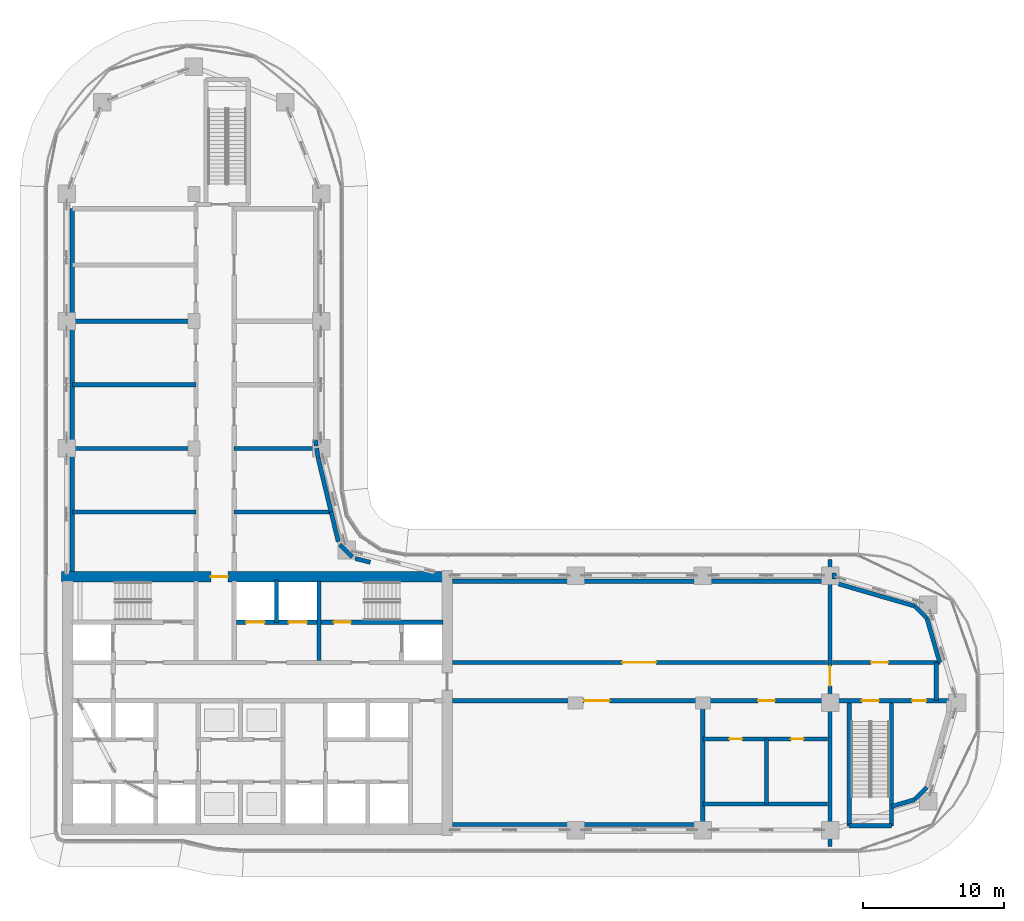
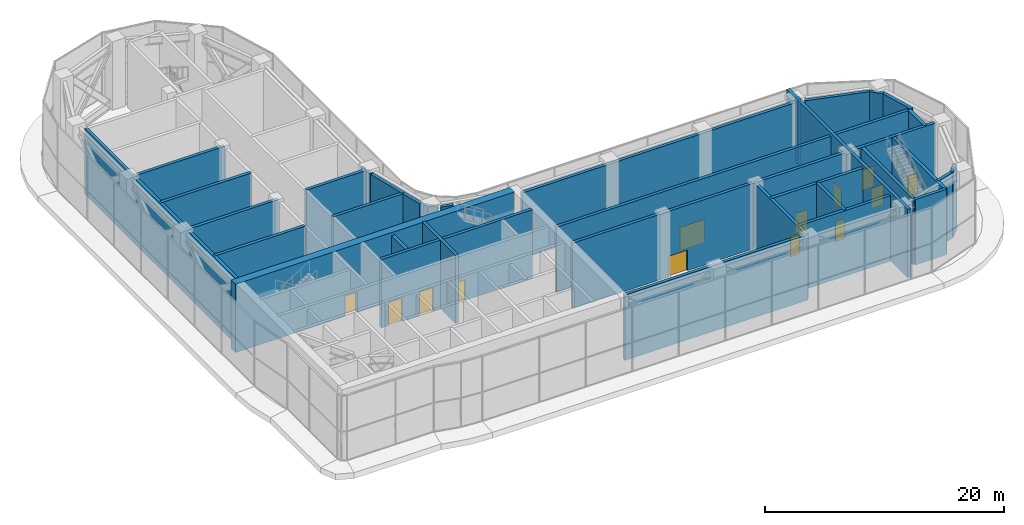
# One storey, part 17 of 35: 38 walls, 13 doors, 13 openings.
"""IFC4 building model written with IfcOpenShell, lengths in metres."""

from ifc_helpers import new_model, si_unit, direction, frame, frame_2d, origin, place, context, subcontext, project, spatial, rectangle, extrude, material, layer, layer_set, type_object, element, fill, save


model = new_model("IFC4")

# Units and contexts
model_context = context("Model", 3, precision=1e-05, world=origin(), true_north=direction((0.0, 1.0)))
body_context = subcontext(model_context, "Body", "Model", "MODEL_VIEW")
ifc_project = project(units=[si_unit("LENGTHUNIT", "METRE"), si_unit("AREAUNIT", "SQUARE_METRE"), si_unit("VOLUMEUNIT", "CUBIC_METRE"), si_unit("PLANEANGLEUNIT", "RADIAN"), si_unit("MASSUNIT", "GRAM", prefix="KILO")], contexts=[model_context])

# Site, building, storey
site_placement = place(None, origin())
site = spatial("IfcSite", under=ifc_project, at=site_placement, CompositionType="ELEMENT")
building_placement = place(site_placement, origin())
building = spatial("IfcBuilding", under=site, at=building_placement, Name="Ogive Portal Towers", CompositionType="ELEMENT")
storey_placement = place(building_placement, frame((0.0, 0.0, 135.199951171875)))
storey = spatial("IfcBuildingStorey", under=building, at=storey_placement, Name="L33", CompositionType="ELEMENT", Elevation=135.199951171875)

# Wall, openings, doors
ifc_material_1 = material(Name="Concrete C60/75", Category="concrete")
ifc_layer_1 = layer(ifc_material_1, 0.300048828125)
ifc_layer_set_1 = layer_set([ifc_layer_1], Name="CORE WALL 300 C60")
wall_type_1 = type_object("IfcWallType", Name="CORE WALL 300 C60", PredefinedType="SHEAR", material=ifc_layer_set_1)
wall_1_placement = place(storey_placement, frame((43.5, 36.199951171875, 0.0), z_axis=(0.0, 0.0, 1.0), x_axis=(1.0, 0.0, 0.0)))
wall_1 = element("IfcWall", 1, at=wall_1_placement, inside=storey, type_object=wall_type_1, Name="Core wall Y3b L33", PredefinedType="SHEAR", context=body_context, shape_type="SweptSolid", body=[
    extrude(rectangle(XDim=14.625, YDim=0.300048828125, at=frame_2d((7.3125, 0.0))), origin(), (0.0, 0.0, 1.0), 7.0),
])
opening_1_placement = place(wall_1_placement, frame((6.89990234375, 0.0, 0.0)))
opening_1 = element("IfcOpeningElement", 2, at=opening_1_placement, cuts=wall_1, Name="Opening D12-008", PredefinedType="OPENING", context=body_context, shape_type="SweptSolid", body=[
    extrude(rectangle(XDim=1.199951171875, YDim=2.10009765625, at=frame_2d((0.60009765625, 1.050048828125))), frame((0.0, 0.16015625, 0.0), z_axis=(0.0, -1.0, 0.0), x_axis=(1.0, 0.0, 0.0)), (0.0, 0.0, 1.0), 0.320068359375),
])
opening_2_placement = place(wall_1_placement, frame((0.699951171875, 0.0, 0.0)))
opening_2 = element("IfcOpeningElement", 3, at=opening_2_placement, cuts=wall_1, Name="Opening D12-024", PredefinedType="OPENING", context=body_context, shape_type="SweptSolid", body=[
    extrude(rectangle(XDim=1.300048828125, YDim=2.39990234375, at=frame_2d((0.64990234375, 1.199951171875))), frame((0.0, 0.16015625, 0.0), z_axis=(0.0, -1.0, 0.0), x_axis=(1.0, 0.0, 0.0)), (0.0, 0.0, 1.0), 0.320068359375),
])
opening_3_placement = place(wall_1_placement, frame((3.699951171875, 0.0, 0.0)))
opening_3 = element("IfcOpeningElement", 4, at=opening_3_placement, cuts=wall_1, Name="Opening D12-025", PredefinedType="OPENING", context=body_context, shape_type="SweptSolid", body=[
    extrude(rectangle(XDim=1.300048828125, YDim=2.39990234375, at=frame_2d((0.64990234375, 1.199951171875))), frame((0.0, 0.16015625, 0.0), z_axis=(0.0, -1.0, 0.0), x_axis=(1.0, 0.0, 0.0)), (0.0, 0.0, 1.0), 0.320068359375),
])
ifc_material_2 = material(Name="Stainless steel", Category="steel")
door_type_1 = type_object("IfcDoorType", Name="DT-LD-1300x2400", OperationType="SLIDING_TO_LEFT", PredefinedType="DOOR", material=ifc_material_2)
door_1_placement = place(opening_2_placement, origin())
door_1 = element("IfcDoor", 5, at=door_1_placement, inside=storey, type_object=door_type_1, Name="Door D12-024", OperationType="SLIDING_TO_LEFT", OverallHeight=2.39990234375, OverallWidth=1.300048828125, PredefinedType="DOOR", context=body_context, shape_type="SweptSolid", body=[
    extrude(rectangle(XDim=1.300048828125, YDim=2.39990234375, at=frame_2d((0.64990234375, 1.199951171875))), frame((0.0, 0.02490234375, 0.0), z_axis=(0.0, -1.0, 0.0), x_axis=(1.0, 0.0, 0.0)), (0.0, 0.0, 1.0), 0.050048828125),
])
fill(opening_2, door_1)
door_2_placement = place(opening_3_placement, origin())
door_2 = element("IfcDoor", 6, at=door_2_placement, inside=storey, type_object=door_type_1, Name="Door D12-025", OperationType="SLIDING_TO_LEFT", OverallHeight=2.39990234375, OverallWidth=1.300048828125, PredefinedType="DOOR", context=body_context, shape_type="SweptSolid", body=[
    extrude(rectangle(XDim=1.300048828125, YDim=2.39990234375, at=frame_2d((0.64990234375, 1.199951171875))), frame((0.0, 0.02490234375, 0.0), z_axis=(0.0, -1.0, 0.0), x_axis=(1.0, 0.0, 0.0)), (0.0, 0.0, 1.0), 0.050048828125),
])
fill(opening_3, door_2)
ifc_material_3 = material(Name="Steel fire door", Category="steel")
door_type_2 = type_object("IfcDoorType", Name="DT-SWING-1200x2100-FD90S", OperationType="SINGLE_SWING_LEFT", PredefinedType="DOOR", material=ifc_material_3)
door_3_placement = place(opening_1_placement, origin())
door_3 = element("IfcDoor", 7, at=door_3_placement, inside=storey, type_object=door_type_2, Name="Door D12-008", OperationType="SINGLE_SWING_LEFT", OverallHeight=2.10009765625, OverallWidth=1.199951171875, PredefinedType="DOOR", context=body_context, shape_type="SweptSolid", body=[
    extrude(rectangle(XDim=1.199951171875, YDim=2.10009765625, at=frame_2d((0.60009765625, 1.050048828125))), frame((0.0, 0.02490234375, 0.0), z_axis=(0.0, -1.0, 0.0), x_axis=(1.0, 0.0, 0.0)), (0.0, 0.0, 1.0), 0.050048828125),
])
fill(opening_1, door_3)

# Wall
wall_2_placement = place(storey_placement, frame((49.35009765625, 33.5, 0.0), z_axis=(0.0, 0.0, 1.0), x_axis=(0.0, 1.0, 0.0)))
element("IfcWall", 8, at=wall_2_placement, inside=storey, type_object=wall_type_1, Name="Core wall X9 L33", PredefinedType="SHEAR", context=body_context, shape_type="SweptSolid", body=[
    extrude(rectangle(XDim=5.625, YDim=0.300048828125, at=frame_2d((2.8125, 0.0))), origin(), (0.0, 0.0, 1.0), 7.0),
])

# Wall, opening, door
ifc_layer_2 = layer(ifc_material_1, 0.75)
ifc_layer_set_2 = layer_set([ifc_layer_2], Name="CORE WALL 750 C60")
wall_type_2 = type_object("IfcWallType", Name="CORE WALL 750 C60", PredefinedType="SHEAR", material=ifc_layer_set_2)
wall_3_placement = place(storey_placement, frame((31.125, 39.425048828125, 0.0), z_axis=(0.0, 0.0, 1.0), x_axis=(1.0, 0.0, 0.0)))
wall_3 = element("IfcWall", 9, at=wall_3_placement, inside=storey, type_object=wall_type_2, Name="Core wall N L33", PredefinedType="SHEAR", context=body_context, shape_type="SweptSolid", body=[
    extrude(rectangle(XDim=27.0, YDim=0.75, at=frame_2d((13.5, 0.0))), origin(), (0.0, 0.0, 1.0), 7.0),
])
opening_4_placement = place(wall_3_placement, frame((10.574951171875, 0.0, 0.0)))
opening_4 = element("IfcOpeningElement", 10, at=opening_4_placement, cuts=wall_3, Name="Opening D12-013", PredefinedType="OPENING", context=body_context, shape_type="SweptSolid", body=[
    extrude(rectangle(XDim=1.199951171875, YDim=2.10009765625, at=frame_2d((0.60009765625, 1.050048828125))), frame((0.0, 0.385009765625, 0.0), z_axis=(0.0, -1.0, 0.0), x_axis=(1.0, 0.0, 0.0)), (0.0, 0.0, 1.0), 0.77001953125),
])
door_4_placement = place(opening_4_placement, origin())
door_4 = element("IfcDoor", 11, at=door_4_placement, inside=storey, type_object=door_type_2, Name="Door D12-013", OperationType="SINGLE_SWING_RIGHT", OverallHeight=2.10009765625, OverallWidth=1.199951171875, PredefinedType="DOOR", context=body_context, shape_type="SweptSolid", body=[
    extrude(rectangle(XDim=1.199951171875, YDim=2.10009765625, at=frame_2d((0.60009765625, 1.050048828125))), frame((0.0, 0.02490234375, 0.0), z_axis=(0.0, -1.0, 0.0), x_axis=(1.0, 0.0, 0.0)), (0.0, 0.0, 1.0), 0.050048828125),
])
fill(opening_4, door_4)

ifc_layer_3 = layer(ifc_material_1, 0.300048828125)
ifc_layer_set_3 = layer_set([ifc_layer_3], Name="REVEAL WALL 300 C60")
wall_type_3 = type_object("IfcWallType", Name="REVEAL WALL 300 C60", PredefinedType="SHEAR", material=ifc_layer_set_3)
wall_4_placement = place(storey_placement, frame((85.5, 20.35009765625, 0.0), z_axis=(0.0, 0.0, 1.0), x_axis=(0.0, 1.0, 0.0)))
wall_4 = element("IfcWall", 12, at=wall_4_placement, inside=storey, type_object=wall_type_3, Name="Portal reveal wall L33", PredefinedType="SHEAR", context=body_context, shape_type="SweptSolid", body=[
    extrude(rectangle(XDim=20.2998046875, YDim=0.300048828125, at=frame_2d((10.14990234375, 0.0))), origin(), (0.0, 0.0, 1.0), 7.0),
])
opening_5_placement = place(wall_4_placement, frame((11.35009765625, 0.0, 0.0)))
opening_5 = element("IfcOpeningElement", 13, at=opening_5_placement, cuts=wall_4, Name="Opening D12-049", PredefinedType="OPENING", context=body_context, shape_type="SweptSolid", body=[
    extrude(rectangle(XDim=1.39990234375, YDim=2.10009765625, at=frame_2d((0.699951171875, 1.050048828125))), frame((0.0, 0.16015625, 0.0), z_axis=(0.0, -1.0, 0.0), x_axis=(1.0, 0.0, 0.0)), (0.0, 0.0, 1.0), 0.320068359375),
])
door_type_3 = type_object("IfcDoorType", Name="DT-STAIR-1400x2100-FD90S", OperationType="SINGLE_SWING_LEFT", PredefinedType="DOOR", material=ifc_material_3)
door_5_placement = place(opening_5_placement, origin())
door_5 = element("IfcDoor", 14, at=door_5_placement, inside=storey, type_object=door_type_3, Name="Door D12-049", OperationType="SINGLE_SWING_RIGHT", OverallHeight=2.10009765625, OverallWidth=1.39990234375, PredefinedType="DOOR", context=body_context, shape_type="SweptSolid", body=[
    extrude(rectangle(XDim=1.39990234375, YDim=2.10009765625, at=frame_2d((0.699951171875, 1.050048828125))), frame((0.0, 0.02490234375, 0.0), z_axis=(0.0, -1.0, 0.0), x_axis=(1.0, 0.0, 0.0)), (0.0, 0.0, 1.0), 0.050048828125),
])
fill(opening_5, door_5)

# Wall
ifc_material_4 = material(Name="Concrete C50/60", Category="concrete")
ifc_layer_4 = layer(ifc_material_4, 0.300048828125)
ifc_layer_set_4 = layer_set([ifc_layer_4], Name="STAIR WALL 300 C50")
wall_type_4 = type_object("IfcWallType", Name="STAIR WALL 300 C50", PredefinedType="SHEAR", material=ifc_layer_set_4)
wall_5_placement = place(storey_placement, frame((86.85009765625, 21.800048828125, 0.0), z_axis=(0.0, 0.0, 1.0), x_axis=(1.0, 0.0, 0.0)))
element("IfcWall", 15, at=wall_5_placement, inside=storey, type_object=wall_type_4, Name="Stair wall ST-A4 L33", PredefinedType="SHEAR", context=body_context, shape_type="SweptSolid", body=[
    extrude(rectangle(XDim=3.0, YDim=0.300048828125, at=frame_2d((1.5, 0.0))), origin(), (0.0, 0.0, 1.0), 6.699951171875),
])

# Wall, openings, doors
wall_6_placement = place(storey_placement, frame((85.669921875, 30.64990234375, 0.0), z_axis=(0.0, 0.0, 1.0), x_axis=(1.0, 0.0, 0.0)))
wall_6 = element("IfcWall", 16, at=wall_6_placement, inside=storey, type_object=wall_type_4, Name="Stair wall ST-A4 L33", PredefinedType="SHEAR", context=body_context, shape_type="SweptSolid", body=[
    extrude(rectangle(XDim=8.22998046875, YDim=0.300048828125, at=frame_2d((4.114990234375, 0.0))), origin(), (0.0, 0.0, 1.0), 6.699951171875),
])
opening_6_placement = place(wall_6_placement, frame((2.080078125, 0.0, 0.0)))
opening_6 = element("IfcOpeningElement", 17, at=opening_6_placement, cuts=wall_6, Name="Opening D12-045", PredefinedType="OPENING", context=body_context, shape_type="SweptSolid", body=[
    extrude(rectangle(XDim=1.199951171875, YDim=2.10009765625, at=frame_2d((0.60009765625, 1.050048828125))), frame((0.0, 0.16015625, 0.0), z_axis=(0.0, -1.0, 0.0), x_axis=(1.0, 0.0, 0.0)), (0.0, 0.0, 1.0), 0.320068359375),
])
opening_7_placement = place(wall_6_placement, frame((5.6298828125, 0.0, 0.0)))
opening_7 = element("IfcOpeningElement", 18, at=opening_7_placement, cuts=wall_6, Name="Opening D12-047", PredefinedType="OPENING", context=body_context, shape_type="SweptSolid", body=[
    extrude(rectangle(XDim=1.0, YDim=2.10009765625, at=frame_2d((0.5, 1.050048828125))), frame((0.0, 0.16015625, 0.0), z_axis=(0.0, -1.0, 0.0), x_axis=(1.0, 0.0, 0.0)), (0.0, 0.0, 1.0), 0.320068359375),
])
door_type_4 = type_object("IfcDoorType", Name="DT-SERVICE-1000x2100-FD90S", OperationType="SINGLE_SWING_LEFT", PredefinedType="DOOR", material=ifc_material_3)
door_6_placement = place(opening_7_placement, origin())
door_6 = element("IfcDoor", 19, at=door_6_placement, inside=storey, type_object=door_type_4, Name="Riser access door D12-047", OperationType="SINGLE_SWING_LEFT", OverallHeight=2.10009765625, OverallWidth=1.0, PredefinedType="DOOR", context=body_context, shape_type="SweptSolid", body=[
    extrude(rectangle(XDim=1.0, YDim=2.10009765625, at=frame_2d((0.5, 1.050048828125))), frame((0.0, 0.02490234375, 0.0), z_axis=(0.0, -1.0, 0.0), x_axis=(1.0, 0.0, 0.0)), (0.0, 0.0, 1.0), 0.050048828125),
])
fill(opening_7, door_6)
door_type_5 = type_object("IfcDoorType", Name="DT-STAIR-1200x2100-FD90S", OperationType="SINGLE_SWING_LEFT", PredefinedType="DOOR", material=ifc_material_3)
door_7_placement = place(opening_6_placement, origin())
door_7 = element("IfcDoor", 20, at=door_7_placement, inside=storey, type_object=door_type_5, Name="Door D12-045", OperationType="SINGLE_SWING_LEFT", OverallHeight=2.10009765625, OverallWidth=1.199951171875, PredefinedType="DOOR", context=body_context, shape_type="SweptSolid", body=[
    extrude(rectangle(XDim=1.199951171875, YDim=2.10009765625, at=frame_2d((0.60009765625, 1.050048828125))), frame((0.0, 0.02490234375, 0.0), z_axis=(0.0, -1.0, 0.0), x_axis=(1.0, 0.0, 0.0)), (0.0, 0.0, 1.0), 0.050048828125),
])
fill(opening_6, door_7)

# Walls
for number, where, z_axis, x_axis, name in (
    (21, (86.85009765625, 21.800048828125, 0.0), (0.0, 0.0, 1.0), (0.0, 1.0, 0.0), "Stair wall ST-A4 L33"),
    (22, (89.85009765625, 21.800048828125, 0.0), (0.0, 0.0, 1.0), (0.0, 1.0, 0.0), "Stair wall ST-A4 L33"),
):
    element("IfcWall", number, at=place(storey_placement, frame(where, z_axis=z_axis, x_axis=x_axis)), inside=storey, type_object=wall_type_4, Name=name, PredefinedType="SHEAR", context=body_context, shape_type="SweptSolid", body=[
        extrude(rectangle(XDim=8.849853515625, YDim=0.300048828125, at=frame_2d((4.4248046875, 0.0))), origin(), (0.0, 0.0, 1.0), 6.699951171875),
    ])

# Wall, openings, doors
ifc_material_5 = material(Name="Gypsum board partition on steel studs", Category="steel")
ifc_layer_5 = layer(ifc_material_5, 0.300048828125)
ifc_layer_set_5 = layer_set([ifc_layer_5], Name="WT-PART-300-EI 120")
wall_type_5 = type_object("IfcWallType", Name="WT-PART-300-EI 120", PredefinedType="PARTITIONING", material=ifc_layer_set_5)
wall_7_placement = place(storey_placement, frame((58.800048828125, 30.64990234375, 0.0), z_axis=(0.0, 0.0, 1.0), x_axis=(1.0, 0.0, 0.0)))
wall_7 = element("IfcWall", 23, at=wall_7_placement, inside=storey, type_object=wall_type_5, Name="Wall L33:w018", PredefinedType="PARTITIONING", context=body_context, shape_type="SweptSolid", body=[
    extrude(rectangle(XDim=26.530029296875, YDim=0.300048828125, at=frame_2d((13.26513671875, 0.0))), origin(), (0.0, 0.0, 1.0), 6.699951171875),
])
opening_8_placement = place(wall_7_placement, frame((9.300048828125, 0.0, 0.0)))
opening_8 = element("IfcOpeningElement", 24, at=opening_8_placement, cuts=wall_7, Name="Opening D12-030", PredefinedType="OPENING", context=body_context, shape_type="SweptSolid", body=[
    extrude(rectangle(XDim=1.800048828125, YDim=2.10009765625, at=frame_2d((0.89990234375, 1.050048828125))), frame((0.0, 0.16015625, 0.0), z_axis=(0.0, -1.0, 0.0), x_axis=(1.0, 0.0, 0.0)), (0.0, 0.0, 1.0), 0.320068359375),
])
opening_9_placement = place(wall_7_placement, frame((21.60009765625, 0.0, 0.0)))
opening_9 = element("IfcOpeningElement", 25, at=opening_9_placement, cuts=wall_7, Name="Opening D12-031", PredefinedType="OPENING", context=body_context, shape_type="SweptSolid", body=[
    extrude(rectangle(XDim=1.199951171875, YDim=2.10009765625, at=frame_2d((0.60009765625, 1.050048828125))), frame((0.0, 0.16015625, 0.0), z_axis=(0.0, -1.0, 0.0), x_axis=(1.0, 0.0, 0.0)), (0.0, 0.0, 1.0), 0.320068359375),
])
door_type_6 = type_object("IfcDoorType", Name="DT-ENTRY-1200x2100-FD90S", OperationType="SINGLE_SWING_LEFT", PredefinedType="DOOR", material=ifc_material_3)
door_8_placement = place(opening_9_placement, origin())
door_8 = element("IfcDoor", 26, at=door_8_placement, inside=storey, type_object=door_type_6, Name="Door D12-031", OperationType="SINGLE_SWING_LEFT", OverallHeight=2.10009765625, OverallWidth=1.199951171875, PredefinedType="DOOR", context=body_context, shape_type="SweptSolid", body=[
    extrude(rectangle(XDim=1.199951171875, YDim=2.10009765625, at=frame_2d((0.60009765625, 1.050048828125))), frame((0.0, 0.02490234375, 0.0), z_axis=(0.0, -1.0, 0.0), x_axis=(1.0, 0.0, 0.0)), (0.0, 0.0, 1.0), 0.050048828125),
])
fill(opening_9, door_8)
door_type_7 = type_object("IfcDoorType", Name="DT-ENTRY-1800x2100-FD90S", OperationType="SINGLE_SWING_LEFT", PredefinedType="DOOR", material=ifc_material_3)
door_9_placement = place(opening_8_placement, origin())
door_9 = element("IfcDoor", 27, at=door_9_placement, inside=storey, type_object=door_type_7, Name="Door D12-030", OperationType="SINGLE_SWING_LEFT", OverallHeight=2.10009765625, OverallWidth=1.800048828125, PredefinedType="DOOR", context=body_context, shape_type="SweptSolid", body=[
    extrude(rectangle(XDim=1.800048828125, YDim=2.10009765625, at=frame_2d((0.89990234375, 1.050048828125))), frame((0.0, 0.02490234375, 0.0), z_axis=(0.0, -1.0, 0.0), x_axis=(1.0, 0.0, 0.0)), (0.0, 0.0, 1.0), 0.050048828125),
])
fill(opening_8, door_9)

# Wall, opening, door
wall_8_placement = place(storey_placement, frame((58.800048828125, 33.35009765625, 0.0), z_axis=(0.0, 0.0, 1.0), x_axis=(1.0, 0.0, 0.0)))
wall_8 = element("IfcWall", 28, at=wall_8_placement, inside=storey, type_object=wall_type_5, Name="Wall L33:w020", PredefinedType="PARTITIONING", context=body_context, shape_type="SweptSolid", body=[
    extrude(rectangle(XDim=26.530029296875, YDim=0.300048828125, at=frame_2d((13.26513671875, 0.0))), origin(), (0.0, 0.0, 1.0), 6.699951171875),
])
opening_10_placement = place(wall_8_placement, frame((12.0, 0.0, 0.0)))
opening_10 = element("IfcOpeningElement", 29, at=opening_10_placement, cuts=wall_8, Name="Opening D12-029", PredefinedType="OPENING", context=body_context, shape_type="SweptSolid", body=[
    extrude(rectangle(XDim=2.39990234375, YDim=2.39990234375, at=frame_2d((1.199951171875, 1.199951171875))), frame((0.0, 0.16015625, 0.0), z_axis=(0.0, -1.0, 0.0), x_axis=(1.0, 0.0, 0.0)), (0.0, 0.0, 1.0), 0.320068359375),
])
door_type_8 = type_object("IfcDoorType", Name="DT-ENTRY-2400x2400-FD90S", OperationType="SINGLE_SWING_LEFT", PredefinedType="DOOR", material=ifc_material_3)
door_10_placement = place(opening_10_placement, origin())
door_10 = element("IfcDoor", 30, at=door_10_placement, inside=storey, type_object=door_type_8, Name="Door D12-029", OperationType="SINGLE_SWING_LEFT", OverallHeight=2.39990234375, OverallWidth=2.39990234375, PredefinedType="DOOR", context=body_context, shape_type="SweptSolid", body=[
    extrude(rectangle(XDim=2.39990234375, YDim=2.39990234375, at=frame_2d((1.199951171875, 1.199951171875))), frame((0.0, 0.02490234375, 0.0), z_axis=(0.0, -1.0, 0.0), x_axis=(1.0, 0.0, 0.0)), (0.0, 0.0, 1.0), 0.050048828125),
])
fill(opening_10, door_10)

wall_9_placement = place(storey_placement, frame((85.669921875, 33.35009765625, 0.0), z_axis=(0.0, 0.0, 1.0), x_axis=(1.0, 0.0, 0.0)))
wall_9 = element("IfcWall", 31, at=wall_9_placement, inside=storey, type_object=wall_type_5, Name="Wall L33:w021", PredefinedType="PARTITIONING", context=body_context, shape_type="SweptSolid", body=[
    extrude(rectangle(XDim=7.588134765625, YDim=0.300048828125, at=frame_2d((3.7939453125, 0.0))), origin(), (0.0, 0.0, 1.0), 6.699951171875),
])
opening_11_placement = place(wall_9_placement, frame((2.72998046875, 0.0, 0.0)))
opening_11 = element("IfcOpeningElement", 32, at=opening_11_placement, cuts=wall_9, Name="Opening D12-046", PredefinedType="OPENING", context=body_context, shape_type="SweptSolid", body=[
    extrude(rectangle(XDim=1.199951171875, YDim=2.10009765625, at=frame_2d((0.60009765625, 1.050048828125))), frame((0.0, 0.16015625, 0.0), z_axis=(0.0, -1.0, 0.0), x_axis=(1.0, 0.0, 0.0)), (0.0, 0.0, 1.0), 0.320068359375),
])
door_11_placement = place(opening_11_placement, origin())
door_11 = element("IfcDoor", 33, at=door_11_placement, inside=storey, type_object=door_type_5, Name="Door D12-046", OperationType="SINGLE_SWING_LEFT", OverallHeight=2.10009765625, OverallWidth=1.199951171875, PredefinedType="DOOR", context=body_context, shape_type="SweptSolid", body=[
    extrude(rectangle(XDim=1.199951171875, YDim=2.10009765625, at=frame_2d((0.60009765625, 1.050048828125))), frame((0.0, 0.02490234375, 0.0), z_axis=(0.0, -1.0, 0.0), x_axis=(1.0, 0.0, 0.0)), (0.0, 0.0, 1.0), 0.050048828125),
])
fill(opening_11, door_11)

# Walls
wall_10_placement = place(storey_placement, frame((93.0, 30.64990234375, 0.0), z_axis=(0.0, 0.0, 1.0), x_axis=(0.0, 1.0, 0.0)))
element("IfcWall", 34, at=wall_10_placement, inside=storey, type_object=wall_type_5, Name="Wall L33:w046", PredefinedType="PARTITIONING", context=body_context, shape_type="SweptSolid", body=[
    extrude(rectangle(XDim=2.7001953125, YDim=0.300048828125, at=frame_2d((1.35009765625, 0.0))), origin(), (0.0, 0.0, 1.0), 6.699951171875),
])
ifc_layer_6 = layer(ifc_material_5, 0.300048828125)
ifc_layer_set_6 = layer_set([ifc_layer_6], Name="WT-PART-300-EI 60")
wall_type_6 = type_object("IfcWallType", Name="WT-PART-300-EI 60", PredefinedType="PARTITIONING", material=ifc_layer_set_6)
wall_11_placement = place(storey_placement, frame((49.10009765625, 49.069091796875, 0.0), z_axis=(0.0, 0.0, 1.0), x_axis=(0.152694606026, -0.988273422333, 0.0)))
element("IfcWall", 35, at=wall_11_placement, inside=storey, type_object=wall_type_6, Name="Wall L33:w001", PredefinedType="PARTITIONING", context=body_context, shape_type="SweptSolid", body=[
    extrude(rectangle(XDim=0.40283203125, YDim=0.300048828125, at=frame_2d((0.201416015625, 0.0))), origin(), (0.0, 0.0, 1.0), 6.699951171875),
])
wall_12_placement = place(storey_placement, frame((49.18798828125, 48.5, 0.0), z_axis=(0.0, 0.0, 1.0), x_axis=(0.151219830962, -0.988500158181, 0.0)))
element("IfcWall", 36, at=wall_12_placement, inside=storey, type_object=wall_type_6, Name="Wall L33:w002", PredefinedType="PARTITIONING", context=body_context, shape_type="SweptSolid", body=[
    extrude(rectangle(XDim=0.766845703125, YDim=0.300048828125, at=frame_2d((0.38330078125, 0.0))), origin(), (0.0, 0.0, 1.0), 6.699951171875),
])
wall_13_placement = place(storey_placement, frame((49.31201171875, 47.702880859375, 0.0), z_axis=(0.0, 0.0, 1.0), x_axis=(0.234701095005, -0.972067588187, 0.0)))
element("IfcWall", 37, at=wall_13_placement, inside=storey, type_object=wall_type_6, Name="Wall L33:w003", PredefinedType="PARTITIONING", context=body_context, shape_type="SweptSolid", body=[
    extrude(rectangle(XDim=3.809326171875, YDim=0.300048828125, at=frame_2d((1.90478515625, 0.0))), origin(), (0.0, 0.0, 1.0), 6.699951171875),
])
wall_14_placement = place(storey_placement, frame((50.2060546875, 44.0, 0.0), z_axis=(0.0, 0.0, 1.0), x_axis=(0.23427436711, -0.972170520493, 0.0)))
element("IfcWall", 38, at=wall_14_placement, inside=storey, type_object=wall_type_6, Name="Wall L33:w004", PredefinedType="PARTITIONING", context=body_context, shape_type="SweptSolid", body=[
    extrude(rectangle(XDim=2.15087890625, YDim=0.300048828125, at=frame_2d((1.075439453125, 0.0))), origin(), (0.0, 0.0, 1.0), 6.699951171875),
])
wall_15_placement = place(storey_placement, frame((50.820068359375, 41.715087890625, 0.0), z_axis=(0.0, 0.0, 1.0), x_axis=(0.707106781187, -0.707106781187, 0.0)))
element("IfcWall", 39, at=wall_15_placement, inside=storey, type_object=wall_type_6, Name="Wall L33:w005", PredefinedType="PARTITIONING", context=body_context, shape_type="SweptSolid", body=[
    extrude(rectangle(XDim=1.265869140625, YDim=0.300048828125, at=frame_2d((0.6328125, 0.0))), origin(), (0.0, 0.0, 1.0), 6.699951171875),
])
wall_16_placement = place(storey_placement, frame((51.907958984375, 40.7109375, 0.0), z_axis=(0.0, 0.0, 1.0), x_axis=(0.971212775143, -0.238213654937, 0.0)))
element("IfcWall", 40, at=wall_16_placement, inside=storey, type_object=wall_type_6, Name="Wall L33:w006", PredefinedType="PARTITIONING", context=body_context, shape_type="SweptSolid", body=[
    extrude(rectangle(XDim=1.103759765625, YDim=0.300048828125, at=frame_2d((0.5517578125, 0.0))), origin(), (0.0, 0.0, 1.0), 6.699951171875),
])
wall_17_placement = place(storey_placement, frame((85.781005859375, 39.693115234375, 0.0), z_axis=(0.0, 0.0, 1.0), x_axis=(0.048421151463, -0.99882700809, 0.0)))
element("IfcWall", 41, at=wall_17_placement, inside=storey, type_object=wall_type_6, Name="Wall L33:w007", PredefinedType="PARTITIONING", context=body_context, shape_type="SweptSolid", body=[
    extrude(rectangle(XDim=0.43359375, YDim=0.300048828125, at=frame_2d((0.216796875, 0.0))), origin(), (0.0, 0.0, 1.0), 6.699951171875),
])
wall_18_placement = place(storey_placement, frame((86.092041015625, 38.9150390625, 0.0), z_axis=(0.0, 0.0, 1.0), x_axis=(0.9602069438, -0.279289500479, 0.0)))
element("IfcWall", 42, at=wall_18_placement, inside=storey, type_object=wall_type_6, Name="Wall L33:w008", PredefinedType="PARTITIONING", context=body_context, shape_type="SweptSolid", body=[
    extrude(rectangle(XDim=5.62158203125, YDim=0.300048828125, at=frame_2d((2.810791015625, 0.0))), origin(), (0.0, 0.0, 1.0), 6.699951171875),
])
for number, where, z_axis, x_axis, name in (
    (43, (91.489990234375, 37.344970703125, 0.0), (0.0, 0.0, 1.0), (0.707106781187, -0.707106781187, 0.0), "Wall L33:w010"),
    (44, (91.489990234375, 23.655029296875, 0.0), (0.0, 0.0, 1.0), (0.707106781187, 0.707106781187, 0.0), "Wall L33:w011"),
):
    element("IfcWall", number, at=place(storey_placement, frame(where, z_axis=z_axis, x_axis=x_axis)), inside=storey, type_object=wall_type_6, Name=name, PredefinedType="PARTITIONING", context=body_context, shape_type="SweptSolid", body=[
        extrude(rectangle(XDim=1.209228515625, YDim=0.300048828125, at=frame_2d((0.6044921875, 0.0))), origin(), (0.0, 0.0, 1.0), 6.699951171875),
    ])
wall_19_placement = place(storey_placement, frame((92.344970703125, 36.489990234375, 0.0), z_axis=(0.0, 0.0, 1.0), x_axis=(0.279234420432, -0.960222962882, 0.0)))
element("IfcWall", 45, at=wall_19_placement, inside=storey, type_object=wall_type_6, Name="Wall L33:w012", PredefinedType="PARTITIONING", context=body_context, shape_type="SweptSolid", body=[
    extrude(rectangle(XDim=3.27001953125, YDim=0.300048828125, at=frame_2d((1.635009765625, 0.0))), origin(), (0.0, 0.0, 1.0), 6.699951171875),
])
wall_20_placement = place(storey_placement, frame((58.800048828125, 21.89990234375, 0.0), z_axis=(0.0, 0.0, 1.0), x_axis=(1.0, 0.0, 0.0)))
element("IfcWall", 46, at=wall_20_placement, inside=storey, type_object=wall_type_6, Name="Wall L33:w015", PredefinedType="PARTITIONING", context=body_context, shape_type="SweptSolid", body=[
    extrude(rectangle(XDim=17.699951171875, YDim=0.300048828125, at=frame_2d((8.85009765625, 0.0))), origin(), (0.0, 0.0, 1.0), 6.699951171875),
])
wall_21_placement = place(storey_placement, frame((76.5, 23.35009765625, 0.0), z_axis=(0.0, 0.0, 1.0), x_axis=(1.0, 0.0, 0.0)))
element("IfcWall", 47, at=wall_21_placement, inside=storey, type_object=wall_type_6, Name="Wall L33:w016", PredefinedType="PARTITIONING", context=body_context, shape_type="SweptSolid", body=[
    extrude(rectangle(XDim=8.830078125, YDim=0.300048828125, at=frame_2d((4.4150390625, 0.0))), origin(), (0.0, 0.0, 1.0), 6.699951171875),
])

# Wall, openings, doors
wall_22_placement = place(storey_placement, frame((76.5, 27.949951171875, 0.0), z_axis=(0.0, 0.0, 1.0), x_axis=(1.0, 0.0, 0.0)))
wall_22 = element("IfcWall", 48, at=wall_22_placement, inside=storey, type_object=wall_type_6, Name="Wall L33:w017", PredefinedType="PARTITIONING", context=body_context, shape_type="SweptSolid", body=[
    extrude(rectangle(XDim=8.830078125, YDim=0.300048828125, at=frame_2d((4.4150390625, 0.0))), origin(), (0.0, 0.0, 1.0), 6.699951171875),
])
opening_12_placement = place(wall_22_placement, frame((1.875, 0.0, 0.0)))
opening_12 = element("IfcOpeningElement", 49, at=opening_12_placement, cuts=wall_22, Name="Opening D12-032", PredefinedType="OPENING", context=body_context, shape_type="SweptSolid", body=[
    extrude(rectangle(XDim=0.89990234375, YDim=2.10009765625, at=frame_2d((0.449951171875, 1.050048828125))), frame((0.0, 0.16015625, 0.0), z_axis=(0.0, -1.0, 0.0), x_axis=(1.0, 0.0, 0.0)), (0.0, 0.0, 1.0), 0.320068359375),
])
opening_13_placement = place(wall_22_placement, frame((6.22509765625, 0.0, 0.0)))
opening_13 = element("IfcOpeningElement", 50, at=opening_13_placement, cuts=wall_22, Name="Opening D12-033", PredefinedType="OPENING", context=body_context, shape_type="SweptSolid", body=[
    extrude(rectangle(XDim=0.89990234375, YDim=2.10009765625, at=frame_2d((0.449951171875, 1.050048828125))), frame((0.0, 0.16015625, 0.0), z_axis=(0.0, -1.0, 0.0), x_axis=(1.0, 0.0, 0.0)), (0.0, 0.0, 1.0), 0.320068359375),
])
door_type_9 = type_object("IfcDoorType", Name="DT-BATH-900x2100-FD60S", OperationType="SINGLE_SWING_LEFT", PredefinedType="DOOR", material=ifc_material_3)
door_12_placement = place(opening_12_placement, origin())
door_12 = element("IfcDoor", 51, at=door_12_placement, inside=storey, type_object=door_type_9, Name="Door D12-032", OperationType="SINGLE_SWING_LEFT", OverallHeight=2.10009765625, OverallWidth=0.89990234375, PredefinedType="DOOR", context=body_context, shape_type="SweptSolid", body=[
    extrude(rectangle(XDim=0.89990234375, YDim=2.10009765625, at=frame_2d((0.449951171875, 1.050048828125))), frame((0.0, 0.02490234375, 0.0), z_axis=(0.0, -1.0, 0.0), x_axis=(1.0, 0.0, 0.0)), (0.0, 0.0, 1.0), 0.050048828125),
])
fill(opening_12, door_12)
door_13_placement = place(opening_13_placement, origin())
door_13 = element("IfcDoor", 52, at=door_13_placement, inside=storey, type_object=door_type_9, Name="Door D12-033", OperationType="SINGLE_SWING_RIGHT", OverallHeight=2.10009765625, OverallWidth=0.89990234375, PredefinedType="DOOR", context=body_context, shape_type="SweptSolid", body=[
    extrude(rectangle(XDim=0.89990234375, YDim=2.10009765625, at=frame_2d((0.449951171875, 1.050048828125))), frame((0.0, 0.02490234375, 0.0), z_axis=(0.0, -1.0, 0.0), x_axis=(1.0, 0.0, 0.0)), (0.0, 0.0, 1.0), 0.050048828125),
])
fill(opening_13, door_13)

# Walls
wall_23_placement = place(storey_placement, frame((58.800048828125, 39.10009765625, 0.0), z_axis=(0.0, 0.0, 1.0), x_axis=(1.0, 0.0, 0.0)))
element("IfcWall", 53, at=wall_23_placement, inside=storey, type_object=wall_type_6, Name="Wall L33:w022", PredefinedType="PARTITIONING", context=body_context, shape_type="SweptSolid", body=[
    extrude(rectangle(XDim=26.530029296875, YDim=0.300048828125, at=frame_2d((13.26513671875, 0.0))), origin(), (0.0, 0.0, 1.0), 6.699951171875),
])
wall_24_placement = place(storey_placement, frame((31.89990234375, 44.0, 0.0), z_axis=(0.0, 0.0, 1.0), x_axis=(1.0, 0.0, 0.0)))
element("IfcWall", 54, at=wall_24_placement, inside=storey, type_object=wall_type_6, Name="Wall L33:w023", PredefinedType="PARTITIONING", context=body_context, shape_type="SweptSolid", body=[
    extrude(rectangle(XDim=8.75, YDim=0.300048828125, at=frame_2d((4.375, 0.0))), origin(), (0.0, 0.0, 1.0), 6.699951171875),
])
wall_25_placement = place(storey_placement, frame((43.35009765625, 44.0, 0.0), z_axis=(0.0, 0.0, 1.0), x_axis=(1.0, 0.0, 0.0)))
element("IfcWall", 55, at=wall_25_placement, inside=storey, type_object=wall_type_6, Name="Wall L33:w024", PredefinedType="PARTITIONING", context=body_context, shape_type="SweptSolid", body=[
    extrude(rectangle(XDim=6.85595703125, YDim=0.300048828125, at=frame_2d((3.427978515625, 0.0))), origin(), (0.0, 0.0, 1.0), 6.699951171875),
])
wall_26_placement = place(storey_placement, frame((31.89990234375, 48.5, 0.0), z_axis=(0.0, 0.0, 1.0), x_axis=(1.0, 0.0, 0.0)))
element("IfcWall", 56, at=wall_26_placement, inside=storey, type_object=wall_type_6, Name="Wall L33:w025", PredefinedType="PARTITIONING", context=body_context, shape_type="SweptSolid", body=[
    extrude(rectangle(XDim=8.75, YDim=0.300048828125, at=frame_2d((4.375, 0.0))), origin(), (0.0, 0.0, 1.0), 6.699951171875),
])
wall_27_placement = place(storey_placement, frame((43.35009765625, 48.5, 0.0), z_axis=(0.0, 0.0, 1.0), x_axis=(1.0, 0.0, 0.0)))
element("IfcWall", 57, at=wall_27_placement, inside=storey, type_object=wall_type_6, Name="Wall L33:w026", PredefinedType="PARTITIONING", context=body_context, shape_type="SweptSolid", body=[
    extrude(rectangle(XDim=5.837890625, YDim=0.300048828125, at=frame_2d((2.9189453125, 0.0))), origin(), (0.0, 0.0, 1.0), 6.699951171875),
])
for number, where, z_axis, x_axis, name in (
    (58, (31.89990234375, 53.0, 0.0), (0.0, 0.0, 1.0), (1.0, 0.0, 0.0), "Wall L33:w027"),
    (59, (31.89990234375, 57.5, 0.0), (0.0, 0.0, 1.0), (1.0, 0.0, 0.0), "Wall L33:w029"),
):
    element("IfcWall", number, at=place(storey_placement, frame(where, z_axis=z_axis, x_axis=x_axis)), inside=storey, type_object=wall_type_6, Name=name, PredefinedType="PARTITIONING", context=body_context, shape_type="SweptSolid", body=[
        extrude(rectangle(XDim=8.75, YDim=0.300048828125, at=frame_2d((4.375, 0.0))), origin(), (0.0, 0.0, 1.0), 6.699951171875),
    ])
wall_28_placement = place(storey_placement, frame((31.89990234375, 39.800048828125, 0.0), z_axis=(0.0, 0.0, 1.0), x_axis=(0.0, 1.0, 0.0)))
element("IfcWall", 60, at=wall_28_placement, inside=storey, type_object=wall_type_6, Name="Wall L33:w036", PredefinedType="PARTITIONING", context=body_context, shape_type="SweptSolid", body=[
    extrude(rectangle(XDim=25.64990234375, YDim=0.300048828125, at=frame_2d((12.824951171875, 0.0))), origin(), (0.0, 0.0, 1.0), 6.699951171875),
])
wall_29_placement = place(storey_placement, frame((76.5, 21.89990234375, 0.0), z_axis=(0.0, 0.0, 1.0), x_axis=(0.0, 1.0, 0.0)))
element("IfcWall", 61, at=wall_29_placement, inside=storey, type_object=wall_type_6, Name="Wall L33:w042", PredefinedType="PARTITIONING", context=body_context, shape_type="SweptSolid", body=[
    extrude(rectangle(XDim=8.75, YDim=0.300048828125, at=frame_2d((4.375, 0.0))), origin(), (0.0, 0.0, 1.0), 6.699951171875),
])
wall_30_placement = place(storey_placement, frame((81.0, 23.35009765625, 0.0), z_axis=(0.0, 0.0, 1.0), x_axis=(0.0, 1.0, 0.0)))
element("IfcWall", 62, at=wall_30_placement, inside=storey, type_object=wall_type_6, Name="Wall L33:w043", PredefinedType="PARTITIONING", context=body_context, shape_type="SweptSolid", body=[
    extrude(rectangle(XDim=4.599853515625, YDim=0.300048828125, at=frame_2d((2.2998046875, 0.0))), origin(), (0.0, 0.0, 1.0), 6.699951171875),
])
ifc_material_6 = material(Name="Concrete C40/50", Category="concrete")
ifc_layer_7 = layer(ifc_material_6, 0.300048828125)
ifc_layer_set_7 = layer_set([ifc_layer_7], Name="WT-SHAFT-300")
wall_type_7 = type_object("IfcWallType", Name="WT-SHAFT-300", PredefinedType="SOLIDWALL", material=ifc_layer_set_7)
wall_31_placement = place(storey_placement, frame((46.35009765625, 36.199951171875, 0.0), z_axis=(0.0, 0.0, 1.0), x_axis=(0.0, 1.0, 0.0)))
element("IfcWall", 63, at=wall_31_placement, inside=storey, type_object=wall_type_7, Name="Wall pw:009:L33", PredefinedType="SOLIDWALL", context=body_context, shape_type="SweptSolid", body=[
    extrude(rectangle(XDim=3.0, YDim=0.300048828125, at=frame_2d((1.5, 0.0))), origin(), (0.0, 0.0, 1.0), 6.699951171875),
])
wall_32_placement = place(storey_placement, frame((89.85009765625, 23.177978515625, 0.0), z_axis=(0.0, 0.0, 1.0), x_axis=(0.960196690803, 0.279324748225, 0.0)))
element("IfcWall", 64, at=wall_32_placement, inside=storey, type_object=wall_type_7, Name="Wall L33:w009", PredefinedType="SOLIDWALL", context=body_context, shape_type="SweptSolid", body=[
    extrude(rectangle(XDim=1.707763671875, YDim=0.300048828125, at=frame_2d((0.85400390625, 0.0))), origin(), (0.0, 0.0, 1.0), 6.699951171875),
])

save(model, "model.ifc")
